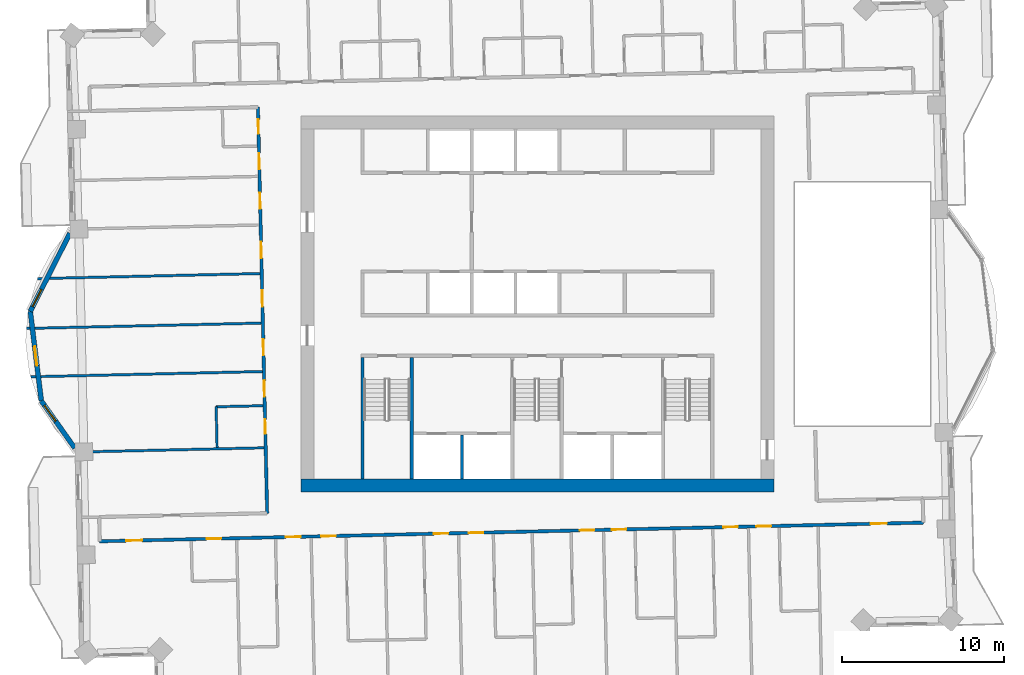
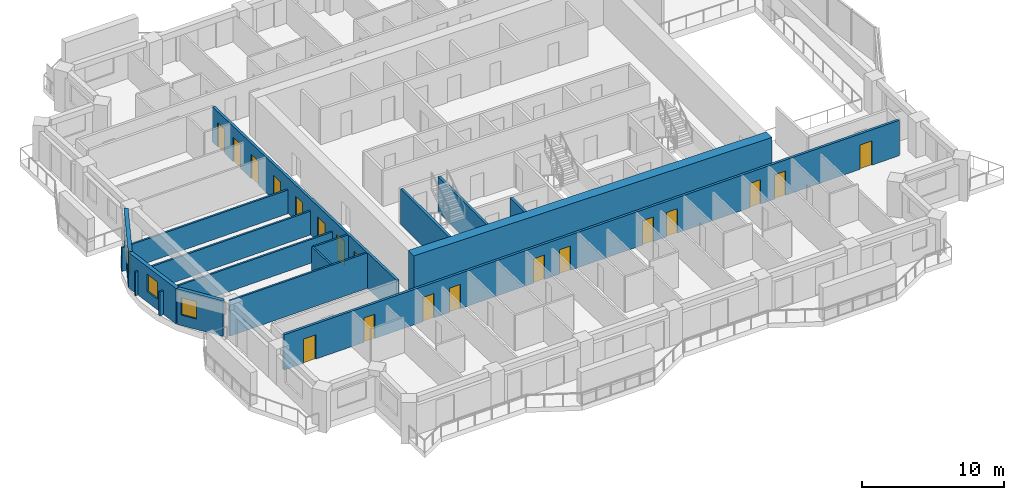
# One storey, part 7 of 17: 19 doors, 15 walls, 3 windows, 22 openings.
"""IFC4 building model written with IfcOpenShell, lengths in metres."""

from ifc_helpers import new_model, si_unit, direction, frame, frame_2d, origin, place, context, subcontext, project, spatial, rectangle, extrude, material, layer, layer_set, type_object, element, fill, save


model = new_model("IFC4")

# Units and contexts
model_context = context("Model", 3, precision=1e-05, world=origin(), true_north=direction((0.0, 1.0)))
body_context = subcontext(model_context, "Body", "Model", "MODEL_VIEW")
ifc_project = project(units=[si_unit("LENGTHUNIT", "METRE"), si_unit("AREAUNIT", "SQUARE_METRE"), si_unit("VOLUMEUNIT", "CUBIC_METRE"), si_unit("PLANEANGLEUNIT", "RADIAN"), si_unit("MASSUNIT", "GRAM", prefix="KILO")], contexts=[model_context])

# Site, building, storey
site_placement = place(None, origin())
site = spatial("IfcSite", under=ifc_project, at=site_placement, CompositionType="ELEMENT")
building_placement = place(site_placement, origin())
building = spatial("IfcBuilding", under=site, at=building_placement, Name="Mangrove Gate Tower", CompositionType="ELEMENT")
storey_placement = place(building_placement, frame((0.0, 0.0, 234.699951171875)))
storey = spatial("IfcBuildingStorey", under=building, at=storey_placement, Name="L59", CompositionType="ELEMENT", Elevation=234.699951171875)

# Walls
ifc_material_1 = material(Name="Concrete C60/75", Category="concrete")
ifc_layer_1 = layer(ifc_material_1, 0.199951171875)
ifc_layer_set_1 = layer_set([ifc_layer_1], Name="Core shaft wall 200 C60/75")
wall_type_1 = type_object("IfcWallType", Name="Core shaft wall 200 C60/75", PredefinedType="SHEAR", material=ifc_layer_set_1)
wall_1_placement = place(storey_placement, frame((-4.64990234375, -10.800048828125, 0.0), z_axis=(0.0, 0.0, 1.0), x_axis=(0.0, 1.0, 0.0)))
element("IfcWall", 1, at=wall_1_placement, inside=storey, type_object=wall_type_1, Name="WALL-L59-CORE-16", PredefinedType="SHEAR", context=body_context, shape_type="SweptSolid", body=[
    extrude(rectangle(XDim=2.699951171875, YDim=0.199951171875, at=frame_2d((1.35009765625, 0.0))), origin(), (0.0, 0.0, 1.0), 3.050048828125),
])
ifc_material_2 = material(Name="Concrete C60/75", Category="concrete")
ifc_layer_2 = layer(ifc_material_2, 0.199951171875)
ifc_layer_set_2 = layer_set([ifc_layer_2], Name="Core stair wall 200 C60/75")
wall_type_2 = type_object("IfcWallType", Name="Core stair wall 200 C60/75", PredefinedType="SHEAR", material=ifc_layer_set_2)
for number, where, z_axis, x_axis, name in (
    (2, (-10.800048828125, -10.800048828125, 0.0), (0.0, 0.0, 1.0), (0.0, 1.0, 0.0), "WALL-L59-CORE-9"),
    (3, (-7.75, -10.800048828125, 0.0), (0.0, 0.0, 1.0), (0.0, 1.0, 0.0), "WALL-L59-CORE-10"),
):
    element("IfcWall", number, at=place(storey_placement, frame(where, z_axis=z_axis, x_axis=x_axis)), inside=storey, type_object=wall_type_2, Name=name, PredefinedType="SHEAR", context=body_context, shape_type="SweptSolid", body=[
        extrude(rectangle(XDim=7.5, YDim=0.199951171875, at=frame_2d((3.75, 0.0))), origin(), (0.0, 0.0, 1.0), 3.050048828125),
    ])
ifc_material_3 = material(Name="Concrete C60/75", Category="concrete")
ifc_layer_3 = layer(ifc_material_3, 0.800048828125)
ifc_layer_set_3 = layer_set([ifc_layer_3], Name="Core wall 800 C60/75")
wall_type_3 = type_object("IfcWallType", Name="Core wall 800 C60/75", PredefinedType="SHEAR", material=ifc_layer_set_3)
wall_2_placement = place(storey_placement, frame((-14.60009765625, -11.199951171875, 0.0), z_axis=(0.0, 0.0, 1.0), x_axis=(1.0, 0.0, 0.0)))
element("IfcWall", 4, at=wall_2_placement, inside=storey, type_object=wall_type_3, Name="WALL-L59-CORE-1", PredefinedType="SHEAR", context=body_context, shape_type="SweptSolid", body=[
    extrude(rectangle(XDim=29.2001953125, YDim=0.800048828125, at=frame_2d((14.60009765625, 0.0))), origin(), (0.0, 0.0, 1.0), 3.60009765625),
])

# Wall, openings, doors
ifc_material_4 = material(Name="Gypsum board on steel stud, EI 60", Category="steel")
ifc_layer_4 = layer(ifc_material_4, 0.199951171875)
ifc_layer_set_4 = layer_set([ifc_layer_4], Name="Corridor wall EI 60")
wall_type_4 = type_object("IfcWallType", Name="Corridor wall EI 60", PredefinedType="PARTITIONING", material=ifc_layer_set_4)
wall_3_placement = place(storey_placement, frame((-27.01611328125, -14.64990234375, 0.0), z_axis=(0.0, 0.0, 1.0), x_axis=(0.999742623033, 0.022686729391, 0.0)))
wall_3 = element("IfcWall", 5, at=wall_3_placement, inside=storey, type_object=wall_type_4, Name="WALL-L59-029", PredefinedType="PARTITIONING", context=body_context, shape_type="SweptSolid", body=[
    extrude(rectangle(XDim=50.8583984375, YDim=0.199951171875, at=frame_2d((25.42919921875, 0.0))), origin(), (0.0, 0.0, 1.0), 3.050048828125),
])
opening_1_placement = place(wall_3_placement, frame((1.625, 0.0, 0.0)))
opening_1 = element("IfcOpeningElement", 6, at=opening_1_placement, cuts=wall_3, Name="Opening AD", PredefinedType="OPENING", context=body_context, shape_type="SweptSolid", body=[
    extrude(rectangle(XDim=1.0, YDim=2.10009765625, at=frame_2d((0.5, 1.050048828125))), frame((0.0, 0.10986328125, 0.0), z_axis=(0.0, -1.0, 0.0), x_axis=(1.0, 0.0, 0.0)), (0.0, 0.0, 1.0), 0.219970703125),
])
opening_2_placement = place(wall_3_placement, frame((6.60009765625, 0.0, 0.0)))
opening_2 = element("IfcOpeningElement", 7, at=opening_2_placement, cuts=wall_3, Name="Opening SD", PredefinedType="OPENING", context=body_context, shape_type="SweptSolid", body=[
    extrude(rectangle(XDim=0.89990234375, YDim=2.10009765625, at=frame_2d((0.449951171875, 1.050048828125))), frame((0.0, 0.10986328125, 0.0), z_axis=(0.0, -1.0, 0.0), x_axis=(1.0, 0.0, 0.0)), (0.0, 0.0, 1.0), 0.219970703125),
])
opening_3_placement = place(wall_3_placement, frame((11.5, 0.0, 0.0)))
opening_3 = element("IfcOpeningElement", 8, at=opening_3_placement, cuts=wall_3, Name="Opening BD", PredefinedType="OPENING", context=body_context, shape_type="SweptSolid", body=[
    extrude(rectangle(XDim=0.89990234375, YDim=2.10009765625, at=frame_2d((0.449951171875, 1.050048828125))), frame((0.0, 0.10986328125, 0.0), z_axis=(0.0, -1.0, 0.0), x_axis=(1.0, 0.0, 0.0)), (0.0, 0.0, 1.0), 0.219970703125),
])
opening_4_placement = place(wall_3_placement, frame((13.675048828125, 0.0, 0.0)))
opening_4 = element("IfcOpeningElement", 9, at=opening_4_placement, cuts=wall_3, Name="Opening BD", PredefinedType="OPENING", context=body_context, shape_type="SweptSolid", body=[
    extrude(rectangle(XDim=0.89990234375, YDim=2.10009765625, at=frame_2d((0.449951171875, 1.050048828125))), frame((0.0, 0.10986328125, 0.0), z_axis=(0.0, -1.0, 0.0), x_axis=(1.0, 0.0, 0.0)), (0.0, 0.0, 1.0), 0.219970703125),
])
opening_5_placement = place(wall_3_placement, frame((20.625, 0.0, 0.0)))
opening_5 = element("IfcOpeningElement", 10, at=opening_5_placement, cuts=wall_3, Name="Opening BD", PredefinedType="OPENING", context=body_context, shape_type="SweptSolid", body=[
    extrude(rectangle(XDim=0.89990234375, YDim=2.10009765625, at=frame_2d((0.449951171875, 1.050048828125))), frame((0.0, 0.10986328125, 0.0), z_axis=(0.0, -1.0, 0.0), x_axis=(1.0, 0.0, 0.0)), (0.0, 0.0, 1.0), 0.219970703125),
])
opening_6_placement = place(wall_3_placement, frame((22.77490234375, 0.0, 0.0)))
opening_6 = element("IfcOpeningElement", 11, at=opening_6_placement, cuts=wall_3, Name="Opening BD", PredefinedType="OPENING", context=body_context, shape_type="SweptSolid", body=[
    extrude(rectangle(XDim=0.89990234375, YDim=2.10009765625, at=frame_2d((0.449951171875, 1.050048828125))), frame((0.0, 0.10986328125, 0.0), z_axis=(0.0, -1.0, 0.0), x_axis=(1.0, 0.0, 0.0)), (0.0, 0.0, 1.0), 0.219970703125),
])
opening_7_placement = place(wall_3_placement, frame((29.64990234375, 0.0, 0.0)))
opening_7 = element("IfcOpeningElement", 12, at=opening_7_placement, cuts=wall_3, Name="Opening BD", PredefinedType="OPENING", context=body_context, shape_type="SweptSolid", body=[
    extrude(rectangle(XDim=0.89990234375, YDim=2.10009765625, at=frame_2d((0.449951171875, 1.050048828125))), frame((0.0, 0.10986328125, 0.0), z_axis=(0.0, -1.0, 0.0), x_axis=(1.0, 0.0, 0.0)), (0.0, 0.0, 1.0), 0.219970703125),
])
opening_8_placement = place(wall_3_placement, frame((31.625, 0.0, 0.0)))
opening_8 = element("IfcOpeningElement", 13, at=opening_8_placement, cuts=wall_3, Name="Opening BD", PredefinedType="OPENING", context=body_context, shape_type="SweptSolid", body=[
    extrude(rectangle(XDim=0.89990234375, YDim=2.10009765625, at=frame_2d((0.449951171875, 1.050048828125))), frame((0.0, 0.10986328125, 0.0), z_axis=(0.0, -1.0, 0.0), x_axis=(1.0, 0.0, 0.0)), (0.0, 0.0, 1.0), 0.219970703125),
])
opening_9_placement = place(wall_3_placement, frame((38.5, 0.0, 0.0)))
opening_9 = element("IfcOpeningElement", 14, at=opening_9_placement, cuts=wall_3, Name="Opening BD", PredefinedType="OPENING", context=body_context, shape_type="SweptSolid", body=[
    extrude(rectangle(XDim=0.89990234375, YDim=2.10009765625, at=frame_2d((0.449951171875, 1.050048828125))), frame((0.0, 0.10986328125, 0.0), z_axis=(0.0, -1.0, 0.0), x_axis=(1.0, 0.0, 0.0)), (0.0, 0.0, 1.0), 0.219970703125),
])
opening_10_placement = place(wall_3_placement, frame((40.550048828125, 0.0, 0.0)))
opening_10 = element("IfcOpeningElement", 15, at=opening_10_placement, cuts=wall_3, Name="Opening BD", PredefinedType="OPENING", context=body_context, shape_type="SweptSolid", body=[
    extrude(rectangle(XDim=0.89990234375, YDim=2.10009765625, at=frame_2d((0.449951171875, 1.050048828125))), frame((0.0, 0.10986328125, 0.0), z_axis=(0.0, -1.0, 0.0), x_axis=(1.0, 0.0, 0.0)), (0.0, 0.0, 1.0), 0.219970703125),
])
opening_11_placement = place(wall_3_placement, frame((47.60107421875, 0.0, 0.0)))
opening_11 = element("IfcOpeningElement", 16, at=opening_11_placement, cuts=wall_3, Name="Opening AD", PredefinedType="OPENING", context=body_context, shape_type="SweptSolid", body=[
    extrude(rectangle(XDim=1.0, YDim=2.10009765625, at=frame_2d((0.5, 1.050048828125))), frame((0.0, 0.10986328125, 0.0), z_axis=(0.0, -1.0, 0.0), x_axis=(1.0, 0.0, 0.0)), (0.0, 0.0, 1.0), 0.219970703125),
])
ifc_material_5 = material(Name="Timber door leaf", Category="wood")
door_type_1 = type_object("IfcDoorType", Name="Amenity door 1000", OperationType="SINGLE_SWING_LEFT", PredefinedType="DOOR", material=ifc_material_5)
door_1_placement = place(opening_1_placement, origin())
door_1 = element("IfcDoor", 17, at=door_1_placement, inside=storey, type_object=door_type_1, Name="DOOR-L59-KIT-c1a", OperationType="SINGLE_SWING_LEFT", OverallHeight=2.10009765625, OverallWidth=1.0, PredefinedType="DOOR", context=body_context, shape_type="SweptSolid", body=[
    extrude(rectangle(XDim=1.0, YDim=2.10009765625, at=frame_2d((0.5, 1.050048828125))), frame((0.0, 0.02490234375, 0.0), z_axis=(0.0, -1.0, 0.0), x_axis=(1.0, 0.0, 0.0)), (0.0, 0.0, 1.0), 0.050048828125),
])
fill(opening_1, door_1)
door_2_placement = place(opening_11_placement, origin())
door_2 = element("IfcDoor", 18, at=door_2_placement, inside=storey, type_object=door_type_1, Name="DOOR-L59-STU-c3a", OperationType="SINGLE_SWING_RIGHT", OverallHeight=2.10009765625, OverallWidth=1.0, PredefinedType="DOOR", context=body_context, shape_type="SweptSolid", body=[
    extrude(rectangle(XDim=1.0, YDim=2.10009765625, at=frame_2d((0.5, 1.050048828125))), frame((0.0, 0.02490234375, 0.0), z_axis=(0.0, -1.0, 0.0), x_axis=(1.0, 0.0, 0.0)), (0.0, 0.0, 1.0), 0.050048828125),
])
fill(opening_11, door_2)
ifc_material_6 = material(Name="Timber door leaf", Category="wood")
door_type_2 = type_object("IfcDoorType", Name="Bedroom door 900", OperationType="SINGLE_SWING_LEFT", PredefinedType="DOOR", material=ifc_material_6)
door_3_placement = place(opening_3_placement, origin())
door_3 = element("IfcDoor", 19, at=door_3_placement, inside=storey, type_object=door_type_2, Name="DOOR-L59-BED-c101", OperationType="SINGLE_SWING_LEFT", OverallHeight=2.10009765625, OverallWidth=0.89990234375, PredefinedType="DOOR", context=body_context, shape_type="SweptSolid", body=[
    extrude(rectangle(XDim=0.89990234375, YDim=2.10009765625, at=frame_2d((0.449951171875, 1.050048828125))), frame((0.0, 0.02490234375, 0.0), z_axis=(0.0, -1.0, 0.0), x_axis=(1.0, 0.0, 0.0)), (0.0, 0.0, 1.0), 0.050048828125),
])
fill(opening_3, door_3)
door_4_placement = place(opening_4_placement, origin())
door_4 = element("IfcDoor", 20, at=door_4_placement, inside=storey, type_object=door_type_2, Name="DOOR-L59-BED-c102", OperationType="SINGLE_SWING_RIGHT", OverallHeight=2.10009765625, OverallWidth=0.89990234375, PredefinedType="DOOR", context=body_context, shape_type="SweptSolid", body=[
    extrude(rectangle(XDim=0.89990234375, YDim=2.10009765625, at=frame_2d((0.449951171875, 1.050048828125))), frame((0.0, 0.02490234375, 0.0), z_axis=(0.0, -1.0, 0.0), x_axis=(1.0, 0.0, 0.0)), (0.0, 0.0, 1.0), 0.050048828125),
])
fill(opening_4, door_4)
door_5_placement = place(opening_5_placement, origin())
door_5 = element("IfcDoor", 21, at=door_5_placement, inside=storey, type_object=door_type_2, Name="DOOR-L59-BED-c103", OperationType="SINGLE_SWING_LEFT", OverallHeight=2.10009765625, OverallWidth=0.89990234375, PredefinedType="DOOR", context=body_context, shape_type="SweptSolid", body=[
    extrude(rectangle(XDim=0.89990234375, YDim=2.10009765625, at=frame_2d((0.449951171875, 1.050048828125))), frame((0.0, 0.02490234375, 0.0), z_axis=(0.0, -1.0, 0.0), x_axis=(1.0, 0.0, 0.0)), (0.0, 0.0, 1.0), 0.050048828125),
])
fill(opening_5, door_5)
door_6_placement = place(opening_6_placement, origin())
door_6 = element("IfcDoor", 22, at=door_6_placement, inside=storey, type_object=door_type_2, Name="DOOR-L59-BED-c104", OperationType="SINGLE_SWING_RIGHT", OverallHeight=2.10009765625, OverallWidth=0.89990234375, PredefinedType="DOOR", context=body_context, shape_type="SweptSolid", body=[
    extrude(rectangle(XDim=0.89990234375, YDim=2.10009765625, at=frame_2d((0.449951171875, 1.050048828125))), frame((0.0, 0.02490234375, 0.0), z_axis=(0.0, -1.0, 0.0), x_axis=(1.0, 0.0, 0.0)), (0.0, 0.0, 1.0), 0.050048828125),
])
fill(opening_6, door_6)
door_7_placement = place(opening_7_placement, origin())
door_7 = element("IfcDoor", 23, at=door_7_placement, inside=storey, type_object=door_type_2, Name="DOOR-L59-BED-c205", OperationType="SINGLE_SWING_LEFT", OverallHeight=2.10009765625, OverallWidth=0.89990234375, PredefinedType="DOOR", context=body_context, shape_type="SweptSolid", body=[
    extrude(rectangle(XDim=0.89990234375, YDim=2.10009765625, at=frame_2d((0.449951171875, 1.050048828125))), frame((0.0, 0.02490234375, 0.0), z_axis=(0.0, -1.0, 0.0), x_axis=(1.0, 0.0, 0.0)), (0.0, 0.0, 1.0), 0.050048828125),
])
fill(opening_7, door_7)
door_8_placement = place(opening_8_placement, origin())
door_8 = element("IfcDoor", 24, at=door_8_placement, inside=storey, type_object=door_type_2, Name="DOOR-L59-BED-c206", OperationType="SINGLE_SWING_RIGHT", OverallHeight=2.10009765625, OverallWidth=0.89990234375, PredefinedType="DOOR", context=body_context, shape_type="SweptSolid", body=[
    extrude(rectangle(XDim=0.89990234375, YDim=2.10009765625, at=frame_2d((0.449951171875, 1.050048828125))), frame((0.0, 0.02490234375, 0.0), z_axis=(0.0, -1.0, 0.0), x_axis=(1.0, 0.0, 0.0)), (0.0, 0.0, 1.0), 0.050048828125),
])
fill(opening_8, door_8)
door_9_placement = place(opening_9_placement, origin())
door_9 = element("IfcDoor", 25, at=door_9_placement, inside=storey, type_object=door_type_2, Name="DOOR-L59-BED-c207", OperationType="SINGLE_SWING_LEFT", OverallHeight=2.10009765625, OverallWidth=0.89990234375, PredefinedType="DOOR", context=body_context, shape_type="SweptSolid", body=[
    extrude(rectangle(XDim=0.89990234375, YDim=2.10009765625, at=frame_2d((0.449951171875, 1.050048828125))), frame((0.0, 0.02490234375, 0.0), z_axis=(0.0, -1.0, 0.0), x_axis=(1.0, 0.0, 0.0)), (0.0, 0.0, 1.0), 0.050048828125),
])
fill(opening_9, door_9)
door_10_placement = place(opening_10_placement, origin())
door_10 = element("IfcDoor", 26, at=door_10_placement, inside=storey, type_object=door_type_2, Name="DOOR-L59-BED-c308", OperationType="SINGLE_SWING_RIGHT", OverallHeight=2.10009765625, OverallWidth=0.89990234375, PredefinedType="DOOR", context=body_context, shape_type="SweptSolid", body=[
    extrude(rectangle(XDim=0.89990234375, YDim=2.10009765625, at=frame_2d((0.449951171875, 1.050048828125))), frame((0.0, 0.02490234375, 0.0), z_axis=(0.0, -1.0, 0.0), x_axis=(1.0, 0.0, 0.0)), (0.0, 0.0, 1.0), 0.050048828125),
])
fill(opening_10, door_10)
ifc_material_7 = material(Name="Timber door leaf", Category="wood")
door_type_3 = type_object("IfcDoorType", Name="Service room door 900", OperationType="SINGLE_SWING_LEFT", PredefinedType="DOOR", material=ifc_material_7)
door_11_placement = place(opening_2_placement, origin())
door_11 = element("IfcDoor", 27, at=door_11_placement, inside=storey, type_object=door_type_3, Name="DOOR-L59-LDY-c1a", OperationType="SINGLE_SWING_LEFT", OverallHeight=2.10009765625, OverallWidth=0.89990234375, PredefinedType="DOOR", context=body_context, shape_type="SweptSolid", body=[
    extrude(rectangle(XDim=0.89990234375, YDim=2.10009765625, at=frame_2d((0.449951171875, 1.050048828125))), frame((0.0, 0.02490234375, 0.0), z_axis=(0.0, -1.0, 0.0), x_axis=(1.0, 0.0, 0.0)), (0.0, 0.0, 1.0), 0.050048828125),
])
fill(opening_2, door_11)

wall_4_placement = place(storey_placement, frame((-16.677978515625, -12.9189453125, 0.0), z_axis=(0.0, 0.0, 1.0), x_axis=(-0.022696191528, 0.999742408268, 0.0)))
wall_4 = element("IfcWall", 28, at=wall_4_placement, inside=storey, type_object=wall_type_4, Name="WALL-L59-030", PredefinedType="PARTITIONING", context=body_context, shape_type="SweptSolid", body=[
    extrude(rectangle(XDim=25.07421875, YDim=0.199951171875, at=frame_2d((12.537109375, 0.0))), origin(), (0.0, 0.0, 1.0), 3.050048828125),
])
opening_12_placement = place(wall_4_placement, frame((21.237060546875, 0.0, 0.0)))
opening_12 = element("IfcOpeningElement", 29, at=opening_12_placement, cuts=wall_4, Name="Opening AD", PredefinedType="OPENING", context=body_context, shape_type="SweptSolid", body=[
    extrude(rectangle(XDim=1.0, YDim=2.10009765625, at=frame_2d((0.5, 1.050048828125))), frame((0.0, 0.10986328125, 0.0), z_axis=(0.0, -1.0, 0.0), x_axis=(1.0, 0.0, 0.0)), (0.0, 0.0, 1.0), 0.219970703125),
])
opening_13_placement = place(wall_4_placement, frame((23.424072265625, 0.0, 0.0)))
opening_13 = element("IfcOpeningElement", 30, at=opening_13_placement, cuts=wall_4, Name="Opening SD", PredefinedType="OPENING", context=body_context, shape_type="SweptSolid", body=[
    extrude(rectangle(XDim=0.89990234375, YDim=2.10009765625, at=frame_2d((0.449951171875, 1.050048828125))), frame((0.0, 0.10986328125, 0.0), z_axis=(0.0, -1.0, 0.0), x_axis=(1.0, 0.0, 0.0)), (0.0, 0.0, 1.0), 0.219970703125),
])
opening_14_placement = place(wall_4_placement, frame((18.799072265625, 0.0, 0.0)))
opening_14 = element("IfcOpeningElement", 31, at=opening_14_placement, cuts=wall_4, Name="Opening AD", PredefinedType="OPENING", context=body_context, shape_type="SweptSolid", body=[
    extrude(rectangle(XDim=1.0, YDim=2.10009765625, at=frame_2d((0.5, 1.050048828125))), frame((0.0, 0.10986328125, 0.0), z_axis=(0.0, -1.0, 0.0), x_axis=(1.0, 0.0, 0.0)), (0.0, 0.0, 1.0), 0.219970703125),
])
opening_15_placement = place(wall_4_placement, frame((15.759033203125, 0.0, 0.0)))
opening_15 = element("IfcOpeningElement", 32, at=opening_15_placement, cuts=wall_4, Name="Opening AD", PredefinedType="OPENING", context=body_context, shape_type="SweptSolid", body=[
    extrude(rectangle(XDim=1.0, YDim=2.10009765625, at=frame_2d((0.5, 1.050048828125))), frame((0.0, 0.10986328125, 0.0), z_axis=(0.0, -1.0, 0.0), x_axis=(1.0, 0.0, 0.0)), (0.0, 0.0, 1.0), 0.219970703125),
])
opening_16_placement = place(wall_4_placement, frame((12.760009765625, 0.0, 0.0)))
opening_16 = element("IfcOpeningElement", 33, at=opening_16_placement, cuts=wall_4, Name="Opening AD", PredefinedType="OPENING", context=body_context, shape_type="SweptSolid", body=[
    extrude(rectangle(XDim=1.0, YDim=2.10009765625, at=frame_2d((0.5, 1.050048828125))), frame((0.0, 0.10986328125, 0.0), z_axis=(0.0, -1.0, 0.0), x_axis=(1.0, 0.0, 0.0)), (0.0, 0.0, 1.0), 0.219970703125),
])
opening_17_placement = place(wall_4_placement, frame((9.751953125, 0.0, 0.0)))
opening_17 = element("IfcOpeningElement", 34, at=opening_17_placement, cuts=wall_4, Name="Opening AD", PredefinedType="OPENING", context=body_context, shape_type="SweptSolid", body=[
    extrude(rectangle(XDim=1.0, YDim=2.10009765625, at=frame_2d((0.5, 1.050048828125))), frame((0.0, 0.10986328125, 0.0), z_axis=(0.0, -1.0, 0.0), x_axis=(1.0, 0.0, 0.0)), (0.0, 0.0, 1.0), 0.219970703125),
])
opening_18_placement = place(wall_4_placement, frame((7.198974609375, 0.0, 0.0)))
opening_18 = element("IfcOpeningElement", 35, at=opening_18_placement, cuts=wall_4, Name="Opening AD", PredefinedType="OPENING", context=body_context, shape_type="SweptSolid", body=[
    extrude(rectangle(XDim=1.0, YDim=2.10009765625, at=frame_2d((0.5, 1.050048828125))), frame((0.0, 0.10986328125, 0.0), z_axis=(0.0, -1.0, 0.0), x_axis=(1.0, 0.0, 0.0)), (0.0, 0.0, 1.0), 0.219970703125),
])
opening_19_placement = place(wall_4_placement, frame((4.89892578125, 0.0, 0.0)))
opening_19 = element("IfcOpeningElement", 36, at=opening_19_placement, cuts=wall_4, Name="Opening SD", PredefinedType="OPENING", context=body_context, shape_type="SweptSolid", body=[
    extrude(rectangle(XDim=0.89990234375, YDim=2.10009765625, at=frame_2d((0.449951171875, 1.050048828125))), frame((0.0, 0.10986328125, 0.0), z_axis=(0.0, -1.0, 0.0), x_axis=(1.0, 0.0, 0.0)), (0.0, 0.0, 1.0), 0.219970703125),
])
door_12_placement = place(opening_12_placement, origin())
door_12 = element("IfcDoor", 37, at=door_12_placement, inside=storey, type_object=door_type_1, Name="DOOR-L59-GAM-c5a", OperationType="SINGLE_SWING_LEFT", OverallHeight=2.10009765625, OverallWidth=1.0, PredefinedType="DOOR", context=body_context, shape_type="SweptSolid", body=[
    extrude(rectangle(XDim=1.0, YDim=2.10009765625, at=frame_2d((0.5, 1.050048828125))), frame((0.0, 0.02490234375, 0.0), z_axis=(0.0, -1.0, 0.0), x_axis=(1.0, 0.0, 0.0)), (0.0, 0.0, 1.0), 0.050048828125),
])
fill(opening_12, door_12)
door_13_placement = place(opening_14_placement, origin())
door_13 = element("IfcDoor", 38, at=door_13_placement, inside=storey, type_object=door_type_1, Name="DOOR-L59-STU-c5a", OperationType="SINGLE_SWING_RIGHT", OverallHeight=2.10009765625, OverallWidth=1.0, PredefinedType="DOOR", context=body_context, shape_type="SweptSolid", body=[
    extrude(rectangle(XDim=1.0, YDim=2.10009765625, at=frame_2d((0.5, 1.050048828125))), frame((0.0, 0.02490234375, 0.0), z_axis=(0.0, -1.0, 0.0), x_axis=(1.0, 0.0, 0.0)), (0.0, 0.0, 1.0), 0.050048828125),
])
fill(opening_14, door_13)
door_14_placement = place(opening_15_placement, origin())
door_14 = element("IfcDoor", 39, at=door_14_placement, inside=storey, type_object=door_type_1, Name="DOOR-L59-STU-c5b", OperationType="SINGLE_SWING_LEFT", OverallHeight=2.10009765625, OverallWidth=1.0, PredefinedType="DOOR", context=body_context, shape_type="SweptSolid", body=[
    extrude(rectangle(XDim=1.0, YDim=2.10009765625, at=frame_2d((0.5, 1.050048828125))), frame((0.0, 0.02490234375, 0.0), z_axis=(0.0, -1.0, 0.0), x_axis=(1.0, 0.0, 0.0)), (0.0, 0.0, 1.0), 0.050048828125),
])
fill(opening_15, door_14)
door_15_placement = place(opening_16_placement, origin())
door_15 = element("IfcDoor", 40, at=door_15_placement, inside=storey, type_object=door_type_1, Name="DOOR-L59-STU-c5c", OperationType="SINGLE_SWING_RIGHT", OverallHeight=2.10009765625, OverallWidth=1.0, PredefinedType="DOOR", context=body_context, shape_type="SweptSolid", body=[
    extrude(rectangle(XDim=1.0, YDim=2.10009765625, at=frame_2d((0.5, 1.050048828125))), frame((0.0, 0.02490234375, 0.0), z_axis=(0.0, -1.0, 0.0), x_axis=(1.0, 0.0, 0.0)), (0.0, 0.0, 1.0), 0.050048828125),
])
fill(opening_16, door_15)
door_16_placement = place(opening_17_placement, origin())
door_16 = element("IfcDoor", 41, at=door_16_placement, inside=storey, type_object=door_type_1, Name="DOOR-L59-STU-c5d", OperationType="SINGLE_SWING_LEFT", OverallHeight=2.10009765625, OverallWidth=1.0, PredefinedType="DOOR", context=body_context, shape_type="SweptSolid", body=[
    extrude(rectangle(XDim=1.0, YDim=2.10009765625, at=frame_2d((0.5, 1.050048828125))), frame((0.0, 0.02490234375, 0.0), z_axis=(0.0, -1.0, 0.0), x_axis=(1.0, 0.0, 0.0)), (0.0, 0.0, 1.0), 0.050048828125),
])
fill(opening_17, door_16)
door_17_placement = place(opening_18_placement, origin())
door_17 = element("IfcDoor", 42, at=door_17_placement, inside=storey, type_object=door_type_1, Name="DOOR-L59-LNG-c5b", OperationType="SINGLE_SWING_RIGHT", OverallHeight=2.10009765625, OverallWidth=1.0, PredefinedType="DOOR", context=body_context, shape_type="SweptSolid", body=[
    extrude(rectangle(XDim=1.0, YDim=2.10009765625, at=frame_2d((0.5, 1.050048828125))), frame((0.0, 0.02490234375, 0.0), z_axis=(0.0, -1.0, 0.0), x_axis=(1.0, 0.0, 0.0)), (0.0, 0.0, 1.0), 0.050048828125),
])
fill(opening_18, door_17)
door_18_placement = place(opening_13_placement, origin())
door_18 = element("IfcDoor", 43, at=door_18_placement, inside=storey, type_object=door_type_3, Name="DOOR-L59-LIN-c5a", OperationType="SINGLE_SWING_RIGHT", OverallHeight=2.10009765625, OverallWidth=0.89990234375, PredefinedType="DOOR", context=body_context, shape_type="SweptSolid", body=[
    extrude(rectangle(XDim=0.89990234375, YDim=2.10009765625, at=frame_2d((0.449951171875, 1.050048828125))), frame((0.0, 0.02490234375, 0.0), z_axis=(0.0, -1.0, 0.0), x_axis=(1.0, 0.0, 0.0)), (0.0, 0.0, 1.0), 0.050048828125),
])
fill(opening_13, door_18)
door_19_placement = place(opening_19_placement, origin())
door_19 = element("IfcDoor", 44, at=door_19_placement, inside=storey, type_object=door_type_3, Name="DOOR-L59-AWC-c5a", OperationType="SINGLE_SWING_LEFT", OverallHeight=2.10009765625, OverallWidth=0.89990234375, PredefinedType="DOOR", context=body_context, shape_type="SweptSolid", body=[
    extrude(rectangle(XDim=0.89990234375, YDim=2.10009765625, at=frame_2d((0.449951171875, 1.050048828125))), frame((0.0, 0.02490234375, 0.0), z_axis=(0.0, -1.0, 0.0), x_axis=(1.0, 0.0, 0.0)), (0.0, 0.0, 1.0), 0.050048828125),
])
fill(opening_19, door_19)

# Wall, opening, window
ifc_material_8 = material(Name="Limestone", Category="masonry")
ifc_layer_5 = layer(ifc_material_8, 0.0400390625, Name="Limestone cladding")
ifc_material_9 = material(Name="Ventilated air gap")
ifc_layer_6 = layer(ifc_material_9, 0.0400390625, Name="Ventilated cavity")
ifc_material_10 = material(Name="Mineral wool insulation")
ifc_layer_7 = layer(ifc_material_10, 0.06005859375, Name="Insulation")
ifc_material_11 = material(Name="Breather membrane")
ifc_layer_8 = layer(ifc_material_11, 0.001953125, Name="Breather membrane")
ifc_material_12 = material(Name="Concrete C20/25 blockwork", Category="masonry")
ifc_layer_9 = layer(ifc_material_12, 0.14990234375, Name="Blockwork backing wall")
ifc_material_13 = material(Name="Gypsum plaster")
ifc_layer_10 = layer(ifc_material_13, 0.008056640625, Name="Internal plaster")
ifc_layer_set_5 = layer_set([ifc_layer_5, ifc_layer_6, ifc_layer_7, ifc_layer_8, ifc_layer_9, ifc_layer_10], Name="External wall 300 limestone cladding")
wall_type_5 = type_object("IfcWallType", Name="External wall 300 limestone cladding", PredefinedType="SOLIDWALL", material=ifc_layer_set_5)
wall_5_placement = place(storey_placement, frame((-28.85693359375, 4.363037109375, 0.0), z_axis=(0.0, 0.0, 1.0), x_axis=(-0.45277700056, -0.891623792731, 0.0)))
wall_5 = element("IfcWall", 45, at=wall_5_placement, inside=storey, type_object=wall_type_5, Name="WALL-L59-W9f1", PredefinedType="SOLIDWALL", context=body_context, shape_type="SweptSolid", body=[
    extrude(rectangle(XDim=5.39794921875, YDim=0.300048828125, at=frame_2d((2.698974609375, 0.0))), origin(), (0.0, 0.0, 1.0), 3.050048828125),
])
opening_20_placement = place(wall_5_placement, frame((3.881103515625, 0.0, 0.89990234375)))
opening_20 = element("IfcOpeningElement", 46, at=opening_20_placement, cuts=wall_5, Name="Opening W1", PredefinedType="OPENING", context=body_context, shape_type="SweptSolid", body=[
    extrude(rectangle(XDim=1.199951171875, YDim=1.5, at=frame_2d((0.60009765625, 0.75))), frame((0.0, 0.159912109375, 0.0), z_axis=(0.0, -1.0, 0.0), x_axis=(1.0, 0.0, 0.0)), (0.0, 0.0, 1.0), 0.320068359375),
])
ifc_material_14 = material(Name="Aluminium frame with double-glazed low-e glass", Category="aluminium")
window_type = type_object("IfcWindowType", Name="Side lite 1200x1500", PartitioningType="SINGLE_PANEL", PredefinedType="WINDOW", material=ifc_material_14)
window_1_placement = place(opening_20_placement, origin())
window_1 = element("IfcWindow", 47, at=window_1_placement, inside=storey, type_object=window_type, Name="WIN-L59-W9f1", OverallHeight=1.5, OverallWidth=1.199951171875, PartitioningType="SINGLE_PANEL", PredefinedType="WINDOW", context=body_context, shape_type="SweptSolid", body=[
    extrude(rectangle(XDim=1.199951171875, YDim=1.5, at=frame_2d((0.60009765625, 0.75))), frame((0.0, 0.030029296875, 0.0), z_axis=(0.0, -1.0, 0.0), x_axis=(1.0, 0.0, 0.0)), (0.0, 0.0, 1.0), 0.06005859375),
])
fill(opening_20, window_1)

wall_6_placement = place(storey_placement, frame((-31.301025390625, -0.449951171875, 0.0), z_axis=(0.0, 0.0, 1.0), x_axis=(0.122163831021, -0.992509948761, 0.0)))
wall_6 = element("IfcWall", 48, at=wall_6_placement, inside=storey, type_object=wall_type_5, Name="WALL-L59-W9f2", PredefinedType="SOLIDWALL", context=body_context, shape_type="SweptSolid", body=[
    extrude(rectangle(XDim=5.57373046875, YDim=0.300048828125, at=frame_2d((2.786865234375, 0.0))), origin(), (0.0, 0.0, 1.0), 3.050048828125),
])
opening_21_placement = place(wall_6_placement, frame((2.18701171875, 0.0, 0.89990234375)))
opening_21 = element("IfcOpeningElement", 49, at=opening_21_placement, cuts=wall_6, Name="Opening W1", PredefinedType="OPENING", context=body_context, shape_type="SweptSolid", body=[
    extrude(rectangle(XDim=1.199951171875, YDim=1.5, at=frame_2d((0.60009765625, 0.75))), frame((0.0, 0.159912109375, 0.0), z_axis=(0.0, -1.0, 0.0), x_axis=(1.0, 0.0, 0.0)), (0.0, 0.0, 1.0), 0.320068359375),
])
window_2_placement = place(opening_21_placement, origin())
window_2 = element("IfcWindow", 50, at=window_2_placement, inside=storey, type_object=window_type, Name="WIN-L59-W9f2", OverallHeight=1.5, OverallWidth=1.199951171875, PartitioningType="SINGLE_PANEL", PredefinedType="WINDOW", context=body_context, shape_type="SweptSolid", body=[
    extrude(rectangle(XDim=1.199951171875, YDim=1.5, at=frame_2d((0.60009765625, 0.75))), frame((0.0, 0.030029296875, 0.0), z_axis=(0.0, -1.0, 0.0), x_axis=(1.0, 0.0, 0.0)), (0.0, 0.0, 1.0), 0.06005859375),
])
fill(opening_21, window_2)

wall_7_placement = place(storey_placement, frame((-30.6201171875, -5.98193359375, 0.0), z_axis=(0.0, 0.0, 1.0), x_axis=(0.578108441206, -0.815959943996, 0.0)))
wall_7 = element("IfcWall", 51, at=wall_7_placement, inside=storey, type_object=wall_type_5, Name="WALL-L59-W9f3", PredefinedType="SOLIDWALL", context=body_context, shape_type="SweptSolid", body=[
    extrude(rectangle(XDim=3.56884765625, YDim=0.300048828125, at=frame_2d((1.784423828125, 0.0))), origin(), (0.0, 0.0, 1.0), 3.050048828125),
])
opening_22_placement = place(wall_7_placement, frame((0.337890625, 0.0, 0.89990234375)))
opening_22 = element("IfcOpeningElement", 52, at=opening_22_placement, cuts=wall_7, Name="Opening W1", PredefinedType="OPENING", context=body_context, shape_type="SweptSolid", body=[
    extrude(rectangle(XDim=1.199951171875, YDim=1.5, at=frame_2d((0.60009765625, 0.75))), frame((0.0, 0.159912109375, 0.0), z_axis=(0.0, -1.0, 0.0), x_axis=(1.0, 0.0, 0.0)), (0.0, 0.0, 1.0), 0.320068359375),
])
window_3_placement = place(opening_22_placement, origin())
window_3 = element("IfcWindow", 53, at=window_3_placement, inside=storey, type_object=window_type, Name="WIN-L59-W9f3", OverallHeight=1.5, OverallWidth=1.199951171875, PartitioningType="SINGLE_PANEL", PredefinedType="WINDOW", context=body_context, shape_type="SweptSolid", body=[
    extrude(rectangle(XDim=1.199951171875, YDim=1.5, at=frame_2d((0.60009765625, 0.75))), frame((0.0, 0.030029296875, 0.0), z_axis=(0.0, -1.0, 0.0), x_axis=(1.0, 0.0, 0.0)), (0.0, 0.0, 1.0), 0.06005859375),
])
fill(opening_22, window_3)

# Walls
ifc_material_15 = material(Name="Gypsum board on steel stud, EI 60", Category="steel")
ifc_layer_11 = layer(ifc_material_15, 0.14990234375)
ifc_layer_set_6 = layer_set([ifc_layer_11], Name="Party wall 150 EI 60")
wall_type_6 = type_object("IfcWallType", Name="Party wall 150 EI 60", PredefinedType="PARTITIONING", material=ifc_layer_set_6)
wall_8_placement = place(storey_placement, frame((-28.240966796875, -9.135986328125, 0.0), z_axis=(0.0, 0.0, 1.0), x_axis=(0.999742533279, 0.022690684282, 0.0)))
element("IfcWall", 54, at=wall_8_placement, inside=storey, type_object=wall_type_6, Name="WALL-L59-036", PredefinedType="PARTITIONING", context=body_context, shape_type="SweptSolid", body=[
    extrude(rectangle(XDim=11.372802734375, YDim=0.14990234375, at=frame_2d((5.6865234375, 0.0))), origin(), (0.0, 0.0, 1.0), 3.050048828125),
])
wall_9_placement = place(storey_placement, frame((-19.77099609375, -8.864013671875, 0.0), z_axis=(0.0, 0.0, 1.0), x_axis=(-0.022532486354, 0.9997461113, 0.0)))
element("IfcWall", 55, at=wall_9_placement, inside=storey, type_object=wall_type_6, Name="WALL-L59-037", PredefinedType="PARTITIONING", context=body_context, shape_type="SweptSolid", body=[
    extrude(rectangle(XDim=2.524658203125, YDim=0.14990234375, at=frame_2d((1.26220703125, 0.0))), origin(), (0.0, 0.0, 1.0), 3.050048828125),
])
wall_10_placement = place(storey_placement, frame((-19.8291015625, -6.344970703125, 0.0), z_axis=(0.0, 0.0, 1.0), x_axis=(0.999741618182, 0.022730967319, 0.0)))
element("IfcWall", 56, at=wall_10_placement, inside=storey, type_object=wall_type_6, Name="WALL-L59-038", PredefinedType="PARTITIONING", context=body_context, shape_type="SweptSolid", body=[
    extrude(rectangle(XDim=2.89990234375, YDim=0.14990234375, at=frame_2d((1.449951171875, 0.0))), origin(), (0.0, 0.0, 1.0), 3.050048828125),
])
wall_11_placement = place(storey_placement, frame((-31.27197265625, -4.493896484375, 0.0), z_axis=(0.0, 0.0, 1.0), x_axis=(0.999743244098, 0.022659344212, 0.0)))
element("IfcWall", 57, at=wall_11_placement, inside=storey, type_object=wall_type_6, Name="WALL-L59-039", PredefinedType="PARTITIONING", context=body_context, shape_type="SweptSolid", body=[
    extrude(rectangle(XDim=14.297607421875, YDim=0.14990234375, at=frame_2d((7.14892578125, 0.0))), origin(), (0.0, 0.0, 1.0), 2.050048828125),
])
wall_12_placement = place(storey_placement, frame((-31.531982421875, -1.509033203125, 0.0), z_axis=(0.0, 0.0, 1.0), x_axis=(0.999742035573, 0.022712602409, 0.0)))
element("IfcWall", 58, at=wall_12_placement, inside=storey, type_object=wall_type_6, Name="WALL-L59-040", PredefinedType="PARTITIONING", context=body_context, shape_type="SweptSolid", body=[
    extrude(rectangle(XDim=14.48974609375, YDim=0.14990234375, at=frame_2d((7.244873046875, 0.0))), origin(), (0.0, 0.0, 1.0), 2.050048828125),
])
wall_13_placement = place(storey_placement, frame((-30.85205078125, 1.56689453125, 0.0), z_axis=(0.0, 0.0, 1.0), x_axis=(0.999742156495, 0.022707279151, 0.0)))
element("IfcWall", 59, at=wall_13_placement, inside=storey, type_object=wall_type_6, Name="WALL-L59-041", PredefinedType="PARTITIONING", context=body_context, shape_type="SweptSolid", body=[
    extrude(rectangle(XDim=13.74072265625, YDim=0.14990234375, at=frame_2d((6.870361328125, 0.0))), origin(), (0.0, 0.0, 1.0), 2.050048828125),
])

save(model, "model.ifc")
